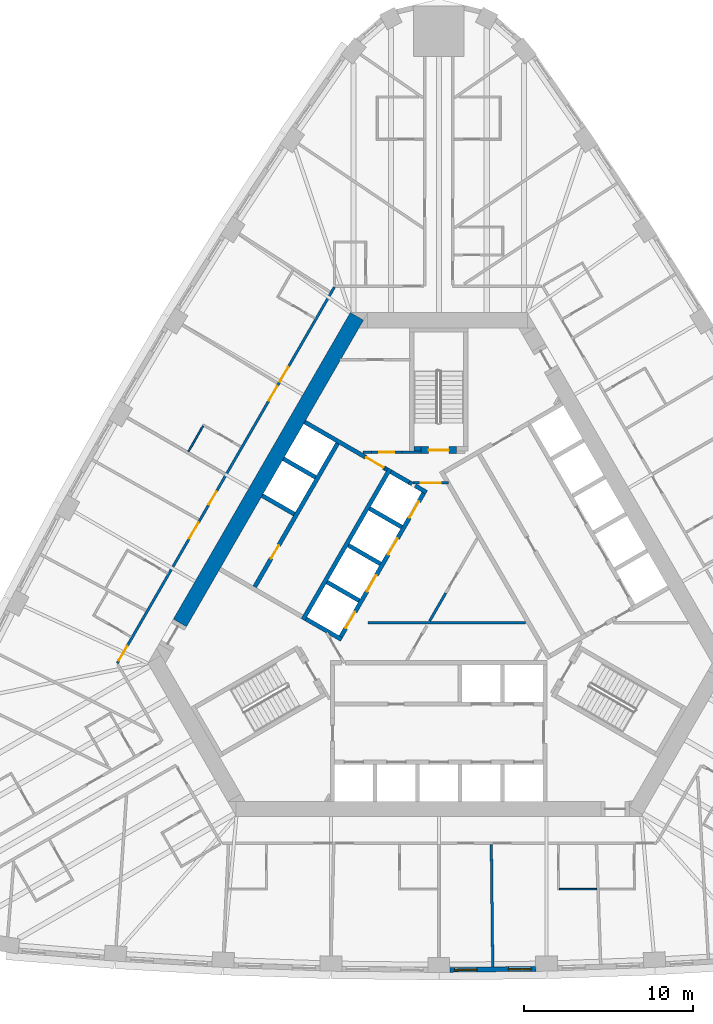
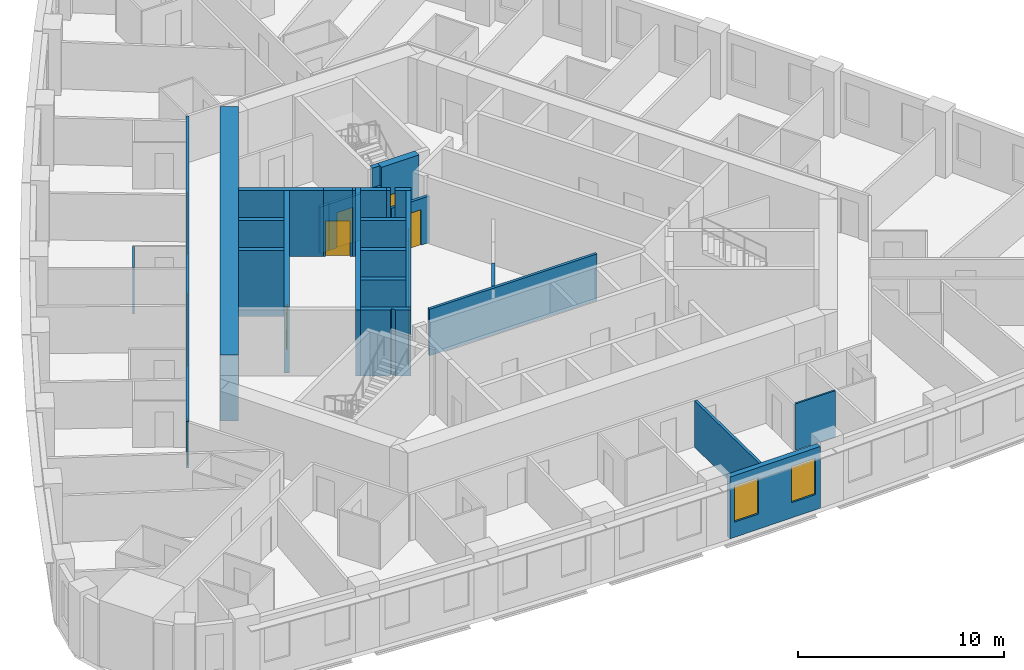
# One storey, part 6 of 13: 29 walls, 14 doors, 2 windows, 16 openings.
"""IFC4 building model written with IfcOpenShell, lengths in metres."""

import ifcopenshell
import ifcopenshell.guid

model = None  # the IFC model being written
_history = None  # IfcOwnerHistory: only IFC2X3 demands one
_inside = {}  # id of a spatial element -> (the spatial element, [elements in it])
_under = {}  # id of a project, library or spatial element -> (it, [spatial elements below it])
_declared = {}  # id of a project -> (the project, [libraries it declares])
_typed = {}  # id of a type object -> (the type object, [elements of that type])
_made_of = {}  # id of a material, layer set ... -> (it, [elements and type objects made of it])


def new_model(schema):
    """Start an empty IFC model of exactly this schema.

    Asked for "IFC4X3", IfcOpenShell would pick the latest addendum, in which some entities
    have other attributes; the version numbers below select the first issue.
    IFC2X3 requires an IfcOwnerHistory on every rooted entity: one is made here for all.
    """
    global model, _history
    if schema == "IFC4X3":
        model = ifcopenshell.file(schema_version=(4, 3, 0, 0))
    else:
        model = ifcopenshell.file(schema=schema)
    _inside.clear()
    _under.clear()
    _declared.clear()
    _typed.clear()
    _made_of.clear()
    _history = None
    if model.schema == "IFC2X3":
        org = make("IfcOrganization", Name="unknown")
        user = make(
            "IfcPersonAndOrganization",
            ThePerson=make("IfcPerson", FamilyName="unknown"),
            TheOrganization=org,
        )
        app = make(
            "IfcApplication",
            ApplicationDeveloper=org,
            Version="unknown",
            ApplicationFullName="unknown",
            ApplicationIdentifier="unknown",
        )
        _history = make(
            "IfcOwnerHistory",
            OwningUser=user,
            OwningApplication=app,
            ChangeAction="ADDED",
            CreationDate=0,
        )
    return model


def make(cls, **values):
    """One entity of the class cls with the attributes given. An attribute that is None is left unset."""
    return model.create_entity(
        cls, **{name: value for name, value in values.items() if value is not None}
    )


def rooted(cls, **values):
    """An entity with a GlobalId (a new one), such as an element, a storey or a relation."""
    return make(cls, GlobalId=ifcopenshell.guid.new(), OwnerHistory=_history, **values)


def si_unit(unit_type, name, prefix=None):
    """IfcSIUnit, for example si_unit("LENGTHUNIT", "METRE", prefix="MILLI")."""
    return make("IfcSIUnit", UnitType=unit_type, Prefix=prefix, Name=name)


def assignment(units):
    """IfcUnitAssignment: the units of a project."""
    return None if units is None else make("IfcUnitAssignment", Units=units)


def point(xyz):
    """IfcCartesianPoint."""
    return None if xyz is None else make("IfcCartesianPoint", Coordinates=xyz)


def direction(xyz):
    """IfcDirection."""
    return None if xyz is None else make("IfcDirection", DirectionRatios=xyz)


def frame(location, z_axis=None, x_axis=None):
    """IfcAxis2Placement3D, a coordinate frame: its origin and axes. An axis left out is left unset."""
    return make(
        "IfcAxis2Placement3D",
        Location=point(location),
        Axis=direction(z_axis),
        RefDirection=direction(x_axis),
    )


def frame_2d(location, x_axis=None):
    """IfcAxis2Placement2D, a coordinate frame in the plane: its origin and x axis."""
    return make(
        "IfcAxis2Placement2D", Location=point(location), RefDirection=direction(x_axis)
    )


def origin():
    """The frame at (0, 0, 0) with its axes left unset."""
    return frame((0.0, 0.0, 0.0))


def place(relative_to, where):
    """IfcLocalPlacement: puts the frame where relative to a parent placement (None: the world)."""
    return make(
        "IfcLocalPlacement", PlacementRelTo=relative_to, RelativePlacement=where
    )


def context(
    kind, dimensions, precision=None, world=None, true_north=None, identifier=None
):
    """IfcGeometricRepresentationContext, for example the 3D "Model" context."""
    return make(
        "IfcGeometricRepresentationContext",
        ContextIdentifier=identifier,
        ContextType=kind,
        CoordinateSpaceDimension=dimensions,
        Precision=precision,
        WorldCoordinateSystem=world,
        TrueNorth=true_north,
    )


def subcontext(parent, identifier, kind, view, scale=None):
    """IfcGeometricRepresentationSubContext, for example "Body" below "Model"."""
    return make(
        "IfcGeometricRepresentationSubContext",
        ContextIdentifier=identifier,
        ContextType=kind,
        ParentContext=parent,
        TargetScale=scale,
        TargetView=view,
    )


def project(units=None, contexts=None):
    """IfcProject with its units and contexts."""
    return rooted(
        "IfcProject",
        Name="project",
        RepresentationContexts=contexts,
        UnitsInContext=assignment(units),
    )


def spatial(cls, under=None, at=None, **own):
    """A site, building, storey or space (cls), placed at a placement, below another one or the project."""
    s = rooted(cls, ObjectPlacement=at, **own)
    if under is not None:
        _under.setdefault(under.id(), (under, []))[1].append(s)
    return s


def polyline(points):
    """IfcPolyline through the points."""
    return make("IfcPolyline", Points=[point(p) for p in points])


def profile(cls, at=None, kind="AREA", **sizes):
    """A parametric profile (cls). Its sizes go by their IFC names, for example OverallWidth=200.0."""
    return make(cls, ProfileType=kind, Position=at, **sizes)


def rectangle(**sizes):
    """IfcRectangleProfileDef."""
    return profile("IfcRectangleProfileDef", **sizes)


def outline(outer, holes=None, kind="AREA"):
    """IfcArbitraryClosedProfileDef: a profile drawn as a closed curve; with holes, ...WithVoids."""
    if holes is None:
        return make("IfcArbitraryClosedProfileDef", ProfileType=kind, OuterCurve=outer)
    return make(
        "IfcArbitraryProfileDefWithVoids",
        ProfileType=kind,
        OuterCurve=outer,
        InnerCurves=holes,
    )


def extrude(swept, where, along, depth):
    """IfcExtrudedAreaSolid: the profile swept, set in the frame where, extruded along a direction by depth."""
    return make(
        "IfcExtrudedAreaSolid",
        SweptArea=swept,
        Position=where,
        ExtrudedDirection=direction(along),
        Depth=depth,
    )


def shape(context_of_items, identifier, shape_type, items):
    """IfcShapeRepresentation: the items that make up one representation, for example the "Body"."""
    return make(
        "IfcShapeRepresentation",
        ContextOfItems=context_of_items,
        RepresentationIdentifier=identifier,
        RepresentationType=shape_type,
        Items=items,
    )


def material(Name=None, Category=None):
    """IfcMaterial."""
    return make("IfcMaterial", Name=Name, Category=Category)


def layer(
    of_material, thickness, ventilated=None, Name=None, Category=None, Priority=None
):
    """IfcMaterialLayer: one layer of a wall or slab, of a material (None: an air gap)."""
    return make(
        "IfcMaterialLayer",
        Material=of_material,
        LayerThickness=thickness,
        IsVentilated=ventilated,
        Name=Name,
        Category=Category,
        Priority=Priority,
    )


def layer_set(layers, Name=None):
    """IfcMaterialLayerSet."""
    return make("IfcMaterialLayerSet", MaterialLayers=layers, LayerSetName=Name)


def made_of(thing, what):
    """Note that an element or type object is made of a material, layer set ...; save() writes the relation."""
    if what is not None:
        _made_of.setdefault(what.id(), (what, []))[1].append(thing)
    return thing


def type_object(cls, material=None, **own):
    """A type object (cls), such as IfcWallType, which elements share."""
    return made_of(rooted(cls, **own), material)


def element(
    cls,
    number,
    at=None,
    inside=None,
    cuts=None,
    type_object=None,
    material=None,
    context=None,
    identifier="Body",
    shape_type=None,
    held_by="IfcProductDefinitionShape",
    body=None,
    shapes=None,
    **own,
):
    """One element of the class cls, such as IfcWall. Its Tag is "e" and its number.

    at: its placement. inside: the storey or other place that contains it. cuts: it is an
    opening in that element (IfcRelVoidsElement). A single representation is given by context,
    identifier, shape_type and body (its items); several are given by shapes. held_by: the class
    of the entity that holds the representations. save() writes the other relations.
    """
    e = rooted(cls, Tag="e%d" % number, ObjectPlacement=at, **own)
    if body is not None:
        shapes = [shape(context, identifier, shape_type, body)]
    if shapes is not None:
        e.Representation = make(held_by, Representations=shapes)
    if inside is not None:
        _inside.setdefault(inside.id(), (inside, []))[1].append(e)
    if cuts is not None:
        rooted(
            "IfcRelVoidsElement", RelatingBuildingElement=cuts, RelatedOpeningElement=e
        )
    if type_object is not None:
        _typed.setdefault(type_object.id(), (type_object, []))[1].append(e)
    return made_of(e, material)


def fill(opening, filler):
    """IfcRelFillsElement: the door or window that sits in an opening."""
    return rooted(
        "IfcRelFillsElement",
        RelatingOpeningElement=opening,
        RelatedBuildingElement=filler,
    )


def aggregate(whole, parts):
    """IfcRelAggregates: a whole, such as a stair, and the parts it consists of."""
    return rooted("IfcRelAggregates", RelatingObject=whole, RelatedObjects=parts)


def save(model, path):
    """Write the relations noted so far, then the file.

    IfcRelAggregates (storeys below a building ...), IfcRelContainedInSpatialStructure (elements
    in a storey), IfcRelDefinesByType, IfcRelAssociatesMaterial and IfcRelDeclares: one each for
    every whole, place, type object, material and project.
    """
    for whole, parts in _under.values():
        aggregate(whole, parts)
    for where, things in _inside.values():
        rooted(
            "IfcRelContainedInSpatialStructure",
            RelatedElements=things,
            RelatingStructure=where,
        )
    for kind, things in _typed.values():
        rooted("IfcRelDefinesByType", RelatedObjects=things, RelatingType=kind)
    for what, things in _made_of.values():
        rooted("IfcRelAssociatesMaterial", RelatedObjects=things, RelatingMaterial=what)
    for by, libraries in _declared.values():
        rooted("IfcRelDeclares", RelatingContext=by, RelatedDefinitions=libraries)
    model.write(path)


model = new_model("IFC4")

# Units and contexts
model_context = context("Model", 3, precision=1e-05, world=origin(), true_north=direction((0.0, 1.0)))
body_context = subcontext(model_context, "Body", "Model", "MODEL_VIEW")
ifc_project = project(units=[si_unit("LENGTHUNIT", "METRE"), si_unit("AREAUNIT", "SQUARE_METRE"), si_unit("VOLUMEUNIT", "CUBIC_METRE"), si_unit("PLANEANGLEUNIT", "RADIAN"), si_unit("MASSUNIT", "GRAM", prefix="KILO")], contexts=[model_context])

# Site, building, storey
site_placement = place(None, origin())
site = spatial("IfcSite", under=ifc_project, at=site_placement, CompositionType="ELEMENT")
building_placement = place(site_placement, origin())
building = spatial("IfcBuilding", under=site, at=building_placement, Name="Mestral Congress Tower", CompositionType="ELEMENT")
storey_placement = place(building_placement, frame((0.0, 0.0, 91.5)))
storey = spatial("IfcBuildingStorey", under=building, at=storey_placement, Name="L21", CompositionType="ELEMENT", Elevation=91.5)

# Walls
ifc_material_1 = material(Name="Fire-rated board partition")
ifc_layer_1 = layer(ifc_material_1, 0.14990234375)
ifc_layer_set_1 = layer_set([ifc_layer_1], Name="Fire-rated board partition")
wall_type_1 = type_object("IfcWallType", Name="Core partition 150", PredefinedType="PARTITIONING", material=ifc_layer_set_1)
wall_1_placement = place(storey_placement, frame((-3.99658203125, 8.625244140625, 0.0), z_axis=(0.0, 0.0, 1.0), x_axis=(-1.0, 0.0, 0.0)))
element("IfcWall", 1, at=wall_1_placement, inside=storey, type_object=wall_type_1, Name="L21 core wall", PredefinedType="PARTITIONING", context=body_context, shape_type="SweptSolid", body=[
    extrude(rectangle(XDim=0.502197265625, YDim=0.14990234375, at=frame_2d((0.2509765625, 0.0))), origin(), (0.0, 0.0, 1.0), 2.75),
])
wall_2_placement = place(storey_placement, frame((-2.1962890625, 8.62548828125, 0.0), z_axis=(0.0, 0.0, 1.0), x_axis=(1.0, 0.0, 0.0)))
element("IfcWall", 2, at=wall_2_placement, inside=storey, type_object=wall_type_1, Name="L21 core wall", PredefinedType="PARTITIONING", context=body_context, shape_type="SweptSolid", body=[
    extrude(rectangle(XDim=1.146240234375, YDim=0.14990234375, at=frame_2d((0.5732421875, 0.0))), origin(), (0.0, 0.0, 1.0), 2.75),
])
wall_3_placement = place(storey_placement, frame((-4.199951171875, -1.5, 0.0), z_axis=(0.0, 0.0, 1.0), x_axis=(1.0, 0.0, 0.0)))
element("IfcWall", 3, at=wall_3_placement, inside=storey, type_object=wall_type_1, Name="L21 core wall", PredefinedType="PARTITIONING", context=body_context, shape_type="SweptSolid", body=[
    extrude(rectangle(XDim=9.359375, YDim=0.14990234375, at=frame_2d((4.6796875, 0.0))), origin(), (0.0, 0.0, 1.0), 2.75),
])
wall_4_placement = place(storey_placement, frame((-0.54443359375, -1.393310546875, 0.0), z_axis=(0.0, 0.0, 1.0), x_axis=(0.499928740635, 0.866066541489, 0.0)))
element("IfcWall", 4, at=wall_4_placement, inside=storey, type_object=wall_type_1, Name="L21 core wall", PredefinedType="PARTITIONING", context=body_context, shape_type="SweptSolid", body=[
    extrude(rectangle(XDim=1.912353515625, YDim=0.14990234375, at=frame_2d((0.9560546875, 0.0))), origin(), (0.0, 0.0, 1.0), 2.75),
])

# Wall, opening, door
wall_5_placement = place(storey_placement, frame((-2.1962890625, 8.625, 0.0), z_axis=(0.0, 0.0, 1.0), x_axis=(-1.0, 0.0, 0.0)))
wall_5 = element("IfcWall", 5, at=wall_5_placement, inside=storey, type_object=wall_type_1, Name="L21 door wall", PredefinedType="PARTITIONING", context=body_context, shape_type="SweptSolid", body=[
    extrude(rectangle(XDim=1.800048828125, YDim=0.14990234375, at=frame_2d((0.89990234375, 0.0))), origin(), (0.0, 0.0, 1.0), 2.75),
])
opening_1_placement = place(wall_5_placement, frame((0.449951171875, 0.0, 0.0)))
opening_1 = element("IfcOpeningElement", 6, at=opening_1_placement, cuts=wall_5, Name="Opening TD2", PredefinedType="OPENING", context=body_context, shape_type="SweptSolid", body=[
    extrude(rectangle(XDim=0.89990234375, YDim=2.10009765625, at=frame_2d((0.449951171875, 1.050048828125))), frame((0.0, 0.0849609375, 0.0), z_axis=(0.0, -1.0, 0.0), x_axis=(1.0, 0.0, 0.0)), (0.0, 0.0, 1.0), 0.169921875),
])
ifc_material_2 = material(Name="Fire-rated steel door set", Category="steel")
door_type_1 = type_object("IfcDoorType", Name="Core door SR 900x2100", OperationType="SINGLE_SWING_LEFT", PredefinedType="DOOR", material=ifc_material_2)
door_1_placement = place(opening_1_placement, origin())
door_1 = element("IfcDoor", 7, at=door_1_placement, inside=storey, type_object=door_type_1, Name="Door TD2", OperationType="SINGLE_SWING_LEFT", OverallHeight=2.10009765625, OverallWidth=0.89990234375, PredefinedType="DOOR", context=body_context, shape_type="SweptSolid", body=[
    extrude(rectangle(XDim=0.89990234375, YDim=2.10009765625, at=frame_2d((0.449951171875, 1.050048828125))), frame((0.0, 0.02490234375, 0.0), z_axis=(0.0, -1.0, 0.0), x_axis=(1.0, 0.0, 0.0)), (0.0, 0.0, 1.0), 0.050048828125),
])
fill(opening_1, door_1)

wall_6_placement = place(storey_placement, frame((-1.534423828125, 6.800048828125, 0.0), z_axis=(0.0, 0.0, 1.0), x_axis=(1.0, 0.0, 0.0)))
wall_6 = element("IfcWall", 8, at=wall_6_placement, inside=storey, type_object=wall_type_1, Name="L21 door wall", PredefinedType="PARTITIONING", context=body_context, shape_type="SweptSolid", body=[
    extrude(rectangle(XDim=2.099853515625, YDim=0.14990234375, at=frame_2d((1.0498046875, 0.0))), origin(), (0.0, 0.0, 1.0), 2.75),
])
opening_2_placement = place(wall_6_placement, frame((0.449951171875, 0.0, 0.0)))
opening_2 = element("IfcOpeningElement", 9, at=opening_2_placement, cuts=wall_6, Name="Opening CD2-FF", PredefinedType="OPENING", context=body_context, shape_type="SweptSolid", body=[
    extrude(rectangle(XDim=1.199951171875, YDim=2.10009765625, at=frame_2d((0.60009765625, 1.050048828125))), frame((0.0, 0.0849609375, 0.0), z_axis=(0.0, -1.0, 0.0), x_axis=(1.0, 0.0, 0.0)), (0.0, 0.0, 1.0), 0.169921875),
])
door_type_2 = type_object("IfcDoorType", Name="Core door CD 1200x2100", OperationType="SINGLE_SWING_LEFT", PredefinedType="DOOR", material=ifc_material_2)
door_2_placement = place(opening_2_placement, origin())
door_2 = element("IfcDoor", 10, at=door_2_placement, inside=storey, type_object=door_type_2, Name="Door CD2-FF", OperationType="SINGLE_SWING_LEFT", OverallHeight=2.10009765625, OverallWidth=1.199951171875, PredefinedType="DOOR", context=body_context, shape_type="SweptSolid", body=[
    extrude(rectangle(XDim=1.199951171875, YDim=2.10009765625, at=frame_2d((0.60009765625, 1.050048828125))), frame((0.0, 0.02490234375, 0.0), z_axis=(0.0, -1.0, 0.0), x_axis=(1.0, 0.0, 0.0)), (0.0, 0.0, 1.0), 0.050048828125),
])
fill(opening_2, door_2)

# Wall
ifc_material_3 = material(Name="Concrete C60/75", Category="concrete")
ifc_layer_2 = layer(ifc_material_3, 0.89990234375)
ifc_layer_set_2 = layer_set([ifc_layer_2], Name="Concrete C60/75")
wall_type_2 = type_object("IfcWallType", Name="Core wall RC 900", PredefinedType="SOLIDWALL", material=ifc_layer_set_2)
wall_7_placement = place(storey_placement, frame((-15.359619140625, -1.50341796875, 0.0), z_axis=(0.0, 0.0, 1.0), x_axis=(0.50000389221, 0.866023156604, 0.0)))
element("IfcWall", 11, at=wall_7_placement, inside=storey, type_object=wall_type_2, Name="L21 core wall", PredefinedType="SOLIDWALL", context=body_context, shape_type="SweptSolid", body=[
    extrude(rectangle(XDim=21.000244140625, YDim=0.89990234375, at=frame_2d((10.5, 0.0))), origin(), (0.0, 0.0, 1.0), 3.89990234375),
])

# Wall, openings, windows
ifc_material_4 = material(Name="Precast concrete C40/50 with limestone facing", Category="masonry")
ifc_layer_3 = layer(ifc_material_4, 0.2900390625)
ifc_layer_set_3 = layer_set([ifc_layer_3], Name="Precast concrete C40/50 with limestone facing")
wall_type_3 = type_object("IfcWallType", Name="Facade stone wall 290", PredefinedType="SOLIDWALL", material=ifc_layer_set_3)
wall_8_placement = place(storey_placement, frame((0.6533203125, -22.091064453125, 0.0), z_axis=(0.0, 0.0, 1.0), x_axis=(0.999931786565, 0.011679992145, 0.0)))
wall_8 = element("IfcWall", 12, at=wall_8_placement, inside=storey, type_object=wall_type_3, Name="Facade wall F0-04", PredefinedType="SOLIDWALL", context=body_context, shape_type="SweptSolid", body=[
    extrude(rectangle(XDim=5.10009765625, YDim=0.2900390625, at=frame_2d((2.550048828125, 0.0))), origin(), (0.0, 0.0, 1.0), 3.64990234375),
])
opening_3_placement = place(wall_8_placement, frame((0.272705078125, 0.0, 0.89990234375)))
opening_3 = element("IfcOpeningElement", 13, at=opening_3_placement, cuts=wall_8, Name="Opening W2", PredefinedType="OPENING", context=body_context, shape_type="SweptSolid", body=[
    extrude(rectangle(XDim=1.35009765625, YDim=2.14990234375, at=frame_2d((0.675048828125, 1.074951171875))), frame((0.0, 0.155029296875, 0.0), z_axis=(0.0, -1.0, 0.0), x_axis=(1.0, 0.0, 0.0)), (0.0, 0.0, 1.0), 0.31005859375),
])
opening_4_placement = place(wall_8_placement, frame((3.477783203125, 0.0, 0.89990234375)))
opening_4 = element("IfcOpeningElement", 14, at=opening_4_placement, cuts=wall_8, Name="Opening W2", PredefinedType="OPENING", context=body_context, shape_type="SweptSolid", body=[
    extrude(rectangle(XDim=1.35009765625, YDim=2.14990234375, at=frame_2d((0.675048828125, 1.074951171875))), frame((0.0, 0.155029296875, 0.0), z_axis=(0.0, -1.0, 0.0), x_axis=(1.0, 0.0, 0.0)), (0.0, 0.0, 1.0), 0.31005859375),
])
ifc_material_5 = material(Name="Clear low-emissivity double glazing", Category="glass")
window_type = type_object("IfcWindowType", Name="Facade punched window 1350 x 2150 sill 900", PartitioningType="DOUBLE_PANEL_VERTICAL", PredefinedType="WINDOW", material=ifc_material_5)
window_1_placement = place(opening_3_placement, origin())
window_1 = element("IfcWindow", 15, at=window_1_placement, inside=storey, type_object=window_type, Name="Window F0-04a", OverallHeight=2.14990234375, OverallWidth=1.35009765625, PartitioningType="DOUBLE_PANEL_VERTICAL", PredefinedType="WINDOW", context=body_context, shape_type="SweptSolid", body=[
    extrude(rectangle(XDim=1.35009765625, YDim=2.14990234375, at=frame_2d((0.675048828125, 1.074951171875))), frame((0.0, 0.01513671875, 0.0), z_axis=(0.0, -1.0, 0.0), x_axis=(1.0, 0.0, 0.0)), (0.0, 0.0, 1.0), 0.06005859375),
])
fill(opening_3, window_1)
window_2_placement = place(opening_4_placement, origin())
window_2 = element("IfcWindow", 16, at=window_2_placement, inside=storey, type_object=window_type, Name="Window F0-04b", OverallHeight=2.14990234375, OverallWidth=1.35009765625, PartitioningType="DOUBLE_PANEL_VERTICAL", PredefinedType="WINDOW", context=body_context, shape_type="SweptSolid", body=[
    extrude(rectangle(XDim=1.35009765625, YDim=2.14990234375, at=frame_2d((0.675048828125, 1.074951171875))), frame((0.0, 0.01513671875, 0.0), z_axis=(0.0, -1.0, 0.0), x_axis=(1.0, 0.0, 0.0)), (0.0, 0.0, 1.0), 0.06005859375),
])
fill(opening_4, window_2)

# Walls
ifc_material_6 = material(Name="Gypsum board partition on metal studs with mineral wool", Category="composite")
ifc_layer_4 = layer(ifc_material_6, 0.10009765625)
ifc_layer_set_4 = layer_set([ifc_layer_4], Name="Gypsum board partition on metal studs with mineral wool")
wall_type_4 = type_object("IfcWallType", Name="Hotel partition wall 100", PredefinedType="PARTITIONING", material=ifc_layer_set_4)
wall_9_placement = place(storey_placement, frame((7.150390625, -17.300048828125, 0.0), z_axis=(0.0, 0.0, 1.0), x_axis=(1.0, 0.0, 0.0)))
element("IfcWall", 17, at=wall_9_placement, inside=storey, type_object=wall_type_4, Name="L21-h-pod06b", PredefinedType="PARTITIONING", context=body_context, shape_type="SweptSolid", body=[
    extrude(rectangle(XDim=2.219970703125, YDim=0.10009765625, at=frame_2d((1.10986328125, 0.0))), origin(), (0.0, 0.0, 1.0), 2.75),
])
wall_10_placement = place(storey_placement, frame((-13.982666015625, 10.18115234375, 0.0), z_axis=(0.0, 0.0, 1.0), x_axis=(-0.499980071345, -0.866036909293, 0.0)))
element("IfcWall", 18, at=wall_10_placement, inside=storey, type_object=wall_type_4, Name="L21-h-pod22b", PredefinedType="PARTITIONING", context=body_context, shape_type="SweptSolid", body=[
    extrude(rectangle(XDim=1.75, YDim=0.10009765625, at=frame_2d((0.875, 0.0))), origin(), (0.0, 0.0, 1.0), 2.75),
])

# Wall, openings, doors
ifc_layer_5 = layer(ifc_material_6, 0.14990234375)
ifc_layer_set_5 = layer_set([ifc_layer_5], Name="Gypsum board partition on metal studs with mineral wool")
wall_type_5 = type_object("IfcWallType", Name="Hotel partition wall 150", PredefinedType="PARTITIONING", material=ifc_layer_set_5)
wall_11_placement = place(storey_placement, frame((-19.081298828125, -3.89990234375, 0.0), z_axis=(0.0, 0.0, 1.0), x_axis=(0.499998313975, 0.866026377209, 0.0)))
wall_11 = element("IfcWall", 19, at=wall_11_placement, inside=storey, type_object=wall_type_5, Name="L21-h-cw08", PredefinedType="PARTITIONING", context=body_context, shape_type="SweptSolid", body=[
    extrude(rectangle(XDim=25.76611328125, YDim=0.14990234375, at=frame_2d((12.883056640625, 0.0))), origin(), (0.0, 0.0, 1.0), 2.75),
])
opening_5_placement = place(wall_11_placement, frame((19.30615234375, 0.0, 0.0)))
opening_5 = element("IfcOpeningElement", 20, at=opening_5_placement, cuts=wall_11, Name="Opening H06-039", PredefinedType="OPENING", context=body_context, shape_type="SweptSolid", body=[
    extrude(rectangle(XDim=1.0, YDim=2.10009765625, at=frame_2d((0.5, 1.050048828125))), frame((0.0, 0.0849609375, 0.0), z_axis=(0.0, -1.0, 0.0), x_axis=(1.0, 0.0, 0.0)), (0.0, 0.0, 1.0), 0.169921875),
])
opening_6_placement = place(wall_11_placement, frame((17.99951171875, 0.0, 0.0)))
opening_6 = element("IfcOpeningElement", 21, at=opening_6_placement, cuts=wall_11, Name="Opening H06-041", PredefinedType="OPENING", context=body_context, shape_type="SweptSolid", body=[
    extrude(rectangle(XDim=1.0, YDim=2.10009765625, at=frame_2d((0.5, 1.050048828125))), frame((0.0, 0.0849609375, 0.0), z_axis=(0.0, -1.0, 0.0), x_axis=(1.0, 0.0, 0.0)), (0.0, 0.0, 1.0), 0.169921875),
])
opening_7_placement = place(wall_11_placement, frame((10.874267578125, 0.0, 0.0)))
opening_7 = element("IfcOpeningElement", 22, at=opening_7_placement, cuts=wall_11, Name="Opening H06-043", PredefinedType="OPENING", context=body_context, shape_type="SweptSolid", body=[
    extrude(rectangle(XDim=0.89990234375, YDim=2.10009765625, at=frame_2d((0.449951171875, 1.050048828125))), frame((0.0, 0.0849609375, 0.0), z_axis=(0.0, -1.0, 0.0), x_axis=(1.0, 0.0, 0.0)), (0.0, 0.0, 1.0), 0.169921875),
])
opening_8_placement = place(wall_11_placement, frame((8.547607421875, 0.0, 0.0)))
opening_8 = element("IfcOpeningElement", 23, at=opening_8_placement, cuts=wall_11, Name="Opening H06-044", PredefinedType="OPENING", context=body_context, shape_type="SweptSolid", body=[
    extrude(rectangle(XDim=1.10009765625, YDim=2.10009765625, at=frame_2d((0.550048828125, 1.050048828125))), frame((0.0, 0.0849609375, 0.0), z_axis=(0.0, -1.0, 0.0), x_axis=(1.0, 0.0, 0.0)), (0.0, 0.0, 1.0), 0.169921875),
])
opening_9_placement = place(wall_11_placement, frame((0.179931640625, 0.0, 0.0)))
opening_9 = element("IfcOpeningElement", 24, at=opening_9_placement, cuts=wall_11, Name="Opening H06-046", PredefinedType="OPENING", context=body_context, shape_type="SweptSolid", body=[
    extrude(rectangle(XDim=1.0, YDim=2.10009765625, at=frame_2d((0.5, 1.050048828125))), frame((0.0, 0.0849609375, 0.0), z_axis=(0.0, -1.0, 0.0), x_axis=(1.0, 0.0, 0.0)), (0.0, 0.0, 1.0), 0.169921875),
])
ifc_material_7 = material(Name="Timber veneer door leaf in metal frame", Category="wood")
door_type_3 = type_object("IfcDoorType", Name="Accessible room entrance door 1100", OperationType="SINGLE_SWING_LEFT", PredefinedType="DOOR", material=ifc_material_7)
door_3_placement = place(opening_8_placement, origin())
door_3 = element("IfcDoor", 25, at=door_3_placement, inside=storey, type_object=door_type_3, Name="L21-h-d044", OperationType="SINGLE_SWING_RIGHT", OverallHeight=2.10009765625, OverallWidth=1.10009765625, PredefinedType="DOOR", context=body_context, shape_type="SweptSolid", body=[
    extrude(rectangle(XDim=1.10009765625, YDim=2.10009765625, at=frame_2d((0.550048828125, 1.050048828125))), frame((0.0, 0.02490234375, 0.0), z_axis=(0.0, -1.0, 0.0), x_axis=(1.0, 0.0, 0.0)), (0.0, 0.0, 1.0), 0.050048828125),
])
fill(opening_8, door_3)
door_type_4 = type_object("IfcDoorType", Name="Guest room entrance door 1000", OperationType="SINGLE_SWING_LEFT", PredefinedType="DOOR", material=ifc_material_7)
door_4_placement = place(opening_5_placement, origin())
door_4 = element("IfcDoor", 26, at=door_4_placement, inside=storey, type_object=door_type_4, Name="L21-h-d039", OperationType="SINGLE_SWING_LEFT", OverallHeight=2.10009765625, OverallWidth=1.0, PredefinedType="DOOR", context=body_context, shape_type="SweptSolid", body=[
    extrude(rectangle(XDim=1.0, YDim=2.10009765625, at=frame_2d((0.5, 1.050048828125))), frame((0.0, 0.02490234375, 0.0), z_axis=(0.0, -1.0, 0.0), x_axis=(1.0, 0.0, 0.0)), (0.0, 0.0, 1.0), 0.050048828125),
])
fill(opening_5, door_4)
door_5_placement = place(opening_6_placement, origin())
door_5 = element("IfcDoor", 27, at=door_5_placement, inside=storey, type_object=door_type_4, Name="L21-h-d041", OperationType="SINGLE_SWING_RIGHT", OverallHeight=2.10009765625, OverallWidth=1.0, PredefinedType="DOOR", context=body_context, shape_type="SweptSolid", body=[
    extrude(rectangle(XDim=1.0, YDim=2.10009765625, at=frame_2d((0.5, 1.050048828125))), frame((0.0, 0.02490234375, 0.0), z_axis=(0.0, -1.0, 0.0), x_axis=(1.0, 0.0, 0.0)), (0.0, 0.0, 1.0), 0.050048828125),
])
fill(opening_6, door_5)
door_6_placement = place(opening_9_placement, origin())
door_6 = element("IfcDoor", 28, at=door_6_placement, inside=storey, type_object=door_type_4, Name="L21-h-d046", OperationType="SINGLE_SWING_LEFT", OverallHeight=2.10009765625, OverallWidth=1.0, PredefinedType="DOOR", context=body_context, shape_type="SweptSolid", body=[
    extrude(rectangle(XDim=1.0, YDim=2.10009765625, at=frame_2d((0.5, 1.050048828125))), frame((0.0, 0.02490234375, 0.0), z_axis=(0.0, -1.0, 0.0), x_axis=(1.0, 0.0, 0.0)), (0.0, 0.0, 1.0), 0.050048828125),
])
fill(opening_9, door_6)
door_type_5 = type_object("IfcDoorType", Name="Service room door 900", OperationType="SINGLE_SWING_LEFT", PredefinedType="DOOR", material=ifc_material_7)
door_7_placement = place(opening_7_placement, origin())
door_7 = element("IfcDoor", 29, at=door_7_placement, inside=storey, type_object=door_type_5, Name="L21-h-d043", OperationType="SINGLE_SWING_LEFT", OverallHeight=2.10009765625, OverallWidth=0.89990234375, PredefinedType="DOOR", context=body_context, shape_type="SweptSolid", body=[
    extrude(rectangle(XDim=0.89990234375, YDim=2.10009765625, at=frame_2d((0.449951171875, 1.050048828125))), frame((0.0, 0.02490234375, 0.0), z_axis=(0.0, -1.0, 0.0), x_axis=(1.0, 0.0, 0.0)), (0.0, 0.0, 1.0), 0.050048828125),
])
fill(opening_7, door_7)

# Walls
wall_12_placement = place(storey_placement, frame((3.20166015625, -21.916259765625, 0.0), z_axis=(0.0, 0.0, 1.0), x_axis=(-0.011707696285, 0.999931462575, 0.0)))
element("IfcWall", 30, at=wall_12_placement, inside=storey, type_object=wall_type_5, Name="L21-h-pw18", PredefinedType="PARTITIONING", context=body_context, shape_type="SweptSolid", body=[
    extrude(rectangle(XDim=7.2568359375, YDim=0.14990234375, at=frame_2d((3.62841796875, 0.0))), origin(), (0.0, 0.0, 1.0), 2.75),
])
ifc_layer_6 = layer(ifc_material_3, 0.25)
ifc_layer_set_6 = layer_set([ifc_layer_6], Name="Concrete C60/75")
wall_type_6 = type_object("IfcWallType", Name="Shaft wall RC 250", PredefinedType="SOLIDWALL", material=ifc_layer_set_6)
wall_13_placement = place(storey_placement, frame((-8.06005859375, -1.310546875, 0.0), z_axis=(0.0, 0.0, 1.0), x_axis=(0.50000273126, 0.866023826885, 0.0)))
element("IfcWall", 31, at=wall_13_placement, inside=storey, type_object=wall_type_6, Name="L21 core wall", PredefinedType="SOLIDWALL", context=body_context, shape_type="SweptSolid", body=[
    extrude(rectangle(XDim=10.330078125, YDim=0.25, at=frame_2d((5.1650390625, 0.0))), origin(), (0.0, 0.0, 1.0), 3.89990234375),
])
wall_14_placement = place(storey_placement, frame((-1.75830078125, 6.834716796875, 0.0), z_axis=(0.0, 0.0, 1.0), x_axis=(0.865982457891, -0.500074377092, 0.0)))
element("IfcWall", 32, at=wall_14_placement, inside=storey, type_object=wall_type_6, Name="L21 core wall", PredefinedType="SOLIDWALL", context=body_context, shape_type="SweptSolid", body=[
    extrude(rectangle(XDim=0.2001953125, YDim=0.25, at=frame_2d((0.10009765625, 0.0))), origin(), (0.0, 0.0, 1.0), 3.89990234375),
])
wall_15_placement = place(storey_placement, frame((-1.760009765625, 6.835693359375, 0.0), z_axis=(0.0, 0.0, 1.0), x_axis=(-0.865952863304, 0.500125622755, 0.0)))
element("IfcWall", 33, at=wall_15_placement, inside=storey, type_object=wall_type_6, Name="L21 core wall", PredefinedType="SOLIDWALL", context=body_context, shape_type="SweptSolid", body=[
    extrude(rectangle(XDim=1.258056640625, YDim=0.25, at=frame_2d((0.62890625, 0.0))), origin(), (0.0, 0.0, 1.0), 3.89990234375),
])
wall_16_placement = place(storey_placement, frame((-0.7275390625, 6.23974609375, 0.0), z_axis=(0.0, 0.0, 1.0), x_axis=(-0.865955664968, 0.500120771724, 0.0)))
element("IfcWall", 34, at=wall_16_placement, inside=storey, type_object=wall_type_6, Name="L21 core wall", PredefinedType="SOLIDWALL", context=body_context, shape_type="SweptSolid", body=[
    extrude(rectangle(XDim=0.778076171875, YDim=0.25, at=frame_2d((0.38916015625, 0.0))), origin(), (0.0, 0.0, 1.0), 3.89990234375),
])
for number, where, z_axis, x_axis, name in (
    (35, (-2.2041015625, 4.182373046875, 0.0), (0.0, 0.0, 1.0), (-0.866008176907, 0.50002983664, 0.0), "L21 core wall"),
    (36, (-5.369384765625, 3.10009765625, 0.0), (0.0, 0.0, 1.0), (0.866008176907, -0.50002983664, 0.0), "L21 core wall"),
    (37, (-4.72412109375, -0.182373046875, 0.0), (0.0, 0.0, 1.0), (-0.866008176907, 0.50002983664, 0.0), "L21 core wall"),
):
    element("IfcWall", number, at=place(storey_placement, frame(where, z_axis=z_axis, x_axis=x_axis)), inside=storey, type_object=wall_type_6, Name=name, PredefinedType="SOLIDWALL", context=body_context, shape_type="SweptSolid", body=[
        extrude(rectangle(XDim=2.199951171875, YDim=0.25, at=frame_2d((1.10009765625, 0.0))), origin(), (0.0, 0.0, 1.0), 3.89990234375),
    ])
placement = place(storey_placement, origin())
element("IfcWall", 38, at=placement, inside=storey, type_object=wall_type_6, Name="L21 core wall", PredefinedType="SOLIDWALL", context=body_context, shape_type="SweptSolid", body=[
    extrude(outline(polyline([(-5.921630859375, -2.256591796875), (-5.921630859375, -2.256591796875), (-5.705078125, -2.381591796875), (-5.830078125, -2.597900390625), (-6.48291015625, -2.22119140625), (-6.59130859375, -2.033447265625), (-6.59130859375, -2.033447265625), (-6.69970703125, -2.095947265625), (-7.951904296875, -1.373046875), (-7.826904296875, -1.156494140625), (-5.921630859375, -2.256591796875)])), origin(), (0.0, 0.0, 1.0), 3.89990234375),
])
element("IfcWall", 39, at=placement, inside=storey, type_object=wall_type_6, Name="L21 core wall", PredefinedType="SOLIDWALL", context=body_context, shape_type="SweptSolid", body=[
    extrude(outline(polyline([(-3.12841796875, 7.4814453125), (-3.2587890625, 7.556640625), (-3.1337890625, 7.773193359375), (-3.00341796875, 7.697998046875), (-3.12841796875, 7.4814453125)])), origin(), (0.0, 0.0, 1.0), 3.89990234375),
])
for number, where, z_axis, x_axis, name in (
    (40, (-8.57373046875, 4.949951171875, 0.0), (0.0, 0.0, 1.0), (-0.866008176907, 0.50002983664, 0.0), "L21 core wall"),
    (41, (-7.313720703125, 7.13232421875, 0.0), (0.0, 0.0, 1.0), (-0.866008176907, 0.50002983664, 0.0), "L21 core wall"),
):
    element("IfcWall", number, at=place(storey_placement, frame(where, z_axis=z_axis, x_axis=x_axis)), inside=storey, type_object=wall_type_6, Name=name, PredefinedType="SOLIDWALL", context=body_context, shape_type="SweptSolid", body=[
        extrude(rectangle(XDim=2.199951171875, YDim=0.25, at=frame_2d((1.10009765625, 0.0))), origin(), (0.0, 0.0, 1.0), 3.89990234375),
    ])
wall_19_placement = place(storey_placement, frame((-7.958984375, 10.414794921875, 0.0), z_axis=(0.0, 0.0, 1.0), x_axis=(0.866020958405, -0.500007699544, 0.0)))
element("IfcWall", 42, at=wall_19_placement, inside=storey, type_object=wall_type_6, Name="L21 core wall", PredefinedType="SOLIDWALL", context=body_context, shape_type="SweptSolid", body=[
    extrude(rectangle(XDim=4.099609375, YDim=0.25, at=frame_2d((2.0498046875, 0.0))), origin(), (0.0, 0.0, 1.0), 3.89990234375),
])

# Wall, opening, door
wall_20_placement = place(storey_placement, frame((-6.0078125, 9.14404296875, 0.0), z_axis=(0.0, 0.0, 1.0), x_axis=(-0.500006956611, -0.866021387346, 0.0)))
wall_20 = element("IfcWall", 43, at=wall_20_placement, inside=storey, type_object=wall_type_6, Name="L21 door wall", PredefinedType="SOLIDWALL", context=body_context, shape_type="SweptSolid", body=[
    extrude(rectangle(XDim=9.829833984375, YDim=0.25, at=frame_2d((4.9150390625, 0.0))), origin(), (0.0, 0.0, 1.0), 3.89990234375),
])
opening_10_placement = place(wall_20_placement, frame((6.985107421875, 0.0, 0.0)))
opening_10 = element("IfcOpeningElement", 44, at=opening_10_placement, cuts=wall_20, Name="Opening SR-NWA2", PredefinedType="OPENING", context=body_context, shape_type="SweptSolid", body=[
    extrude(rectangle(XDim=0.89990234375, YDim=2.10009765625, at=frame_2d((0.449951171875, 1.050048828125))), frame((0.0, 0.135009765625, 0.0), z_axis=(0.0, -1.0, 0.0), x_axis=(1.0, 0.0, 0.0)), (0.0, 0.0, 1.0), 0.27001953125),
])
door_8_placement = place(opening_10_placement, origin())
door_8 = element("IfcDoor", 45, at=door_8_placement, inside=storey, type_object=door_type_1, Name="Door SR-NWA2", OperationType="SINGLE_SWING_LEFT", OverallHeight=2.10009765625, OverallWidth=0.89990234375, PredefinedType="DOOR", context=body_context, shape_type="SweptSolid", body=[
    extrude(rectangle(XDim=0.89990234375, YDim=2.10009765625, at=frame_2d((0.449951171875, 1.050048828125))), frame((0.0, 0.02490234375, 0.0), z_axis=(0.0, -1.0, 0.0), x_axis=(1.0, 0.0, 0.0)), (0.0, 0.0, 1.0), 0.050048828125),
])
fill(opening_10, door_8)

# Wall, openings, doors
wall_21_placement = place(storey_placement, frame((-0.898193359375, 6.194091796875, 0.0), z_axis=(0.0, 0.0, 1.0), x_axis=(-0.499996202215, -0.866027596426, 0.0)))
wall_21 = element("IfcWall", 46, at=wall_21_placement, inside=storey, type_object=wall_type_6, Name="L21 door wall", PredefinedType="SOLIDWALL", context=body_context, shape_type="SweptSolid", body=[
    extrude(rectangle(XDim=9.830078125, YDim=0.25, at=frame_2d((4.9150390625, 0.0))), origin(), (0.0, 0.0, 1.0), 3.89990234375),
])
opening_11_placement = place(wall_21_placement, frame((0.5849609375, 0.0, 0.0)))
opening_11 = element("IfcOpeningElement", 47, at=opening_11_placement, cuts=wall_21, Name="Opening LD-NWB1", PredefinedType="OPENING", context=body_context, shape_type="SweptSolid", body=[
    extrude(rectangle(XDim=1.10009765625, YDim=2.10009765625, at=frame_2d((0.550048828125, 1.050048828125))), frame((0.0, 0.135009765625, 0.0), z_axis=(0.0, -1.0, 0.0), x_axis=(1.0, 0.0, 0.0)), (0.0, 0.0, 1.0), 0.27001953125),
])
opening_12_placement = place(wall_21_placement, frame((3.10498046875, 0.0, 0.0)))
opening_12 = element("IfcOpeningElement", 48, at=opening_12_placement, cuts=wall_21, Name="Opening LD-NWB2", PredefinedType="OPENING", context=body_context, shape_type="SweptSolid", body=[
    extrude(rectangle(XDim=1.10009765625, YDim=2.10009765625, at=frame_2d((0.550048828125, 1.050048828125))), frame((0.0, 0.135009765625, 0.0), z_axis=(0.0, -1.0, 0.0), x_axis=(1.0, 0.0, 0.0)), (0.0, 0.0, 1.0), 0.27001953125),
])
opening_13_placement = place(wall_21_placement, frame((5.625, 0.0, 0.0)))
opening_13 = element("IfcOpeningElement", 49, at=opening_13_placement, cuts=wall_21, Name="Opening LD-NWB3", PredefinedType="OPENING", context=body_context, shape_type="SweptSolid", body=[
    extrude(rectangle(XDim=1.10009765625, YDim=2.10009765625, at=frame_2d((0.550048828125, 1.050048828125))), frame((0.0, 0.135009765625, 0.0), z_axis=(0.0, -1.0, 0.0), x_axis=(1.0, 0.0, 0.0)), (0.0, 0.0, 1.0), 0.27001953125),
])
opening_14_placement = place(wall_21_placement, frame((8.14501953125, 0.0, 0.0)))
opening_14 = element("IfcOpeningElement", 50, at=opening_14_placement, cuts=wall_21, Name="Opening LD-NWB4", PredefinedType="OPENING", context=body_context, shape_type="SweptSolid", body=[
    extrude(rectangle(XDim=1.10009765625, YDim=2.10009765625, at=frame_2d((0.550048828125, 1.050048828125))), frame((0.0, 0.135009765625, 0.0), z_axis=(0.0, -1.0, 0.0), x_axis=(1.0, 0.0, 0.0)), (0.0, 0.0, 1.0), 0.27001953125),
])
door_type_6 = type_object("IfcDoorType", Name="Core door LD 1100x2100", OperationType="DOUBLE_DOOR_SLIDING", PredefinedType="DOOR", material=ifc_material_2)
door_9_placement = place(opening_11_placement, origin())
door_9 = element("IfcDoor", 51, at=door_9_placement, inside=storey, type_object=door_type_6, Name="Door LD-NWB1", OperationType="DOUBLE_DOOR_SLIDING", OverallHeight=2.10009765625, OverallWidth=1.10009765625, PredefinedType="DOOR", context=body_context, shape_type="SweptSolid", body=[
    extrude(rectangle(XDim=1.10009765625, YDim=2.10009765625, at=frame_2d((0.550048828125, 1.050048828125))), frame((0.0, 0.02490234375, 0.0), z_axis=(0.0, -1.0, 0.0), x_axis=(1.0, 0.0, 0.0)), (0.0, 0.0, 1.0), 0.050048828125),
])
fill(opening_11, door_9)
door_10_placement = place(opening_12_placement, origin())
door_10 = element("IfcDoor", 52, at=door_10_placement, inside=storey, type_object=door_type_6, Name="Door LD-NWB2", OperationType="DOUBLE_DOOR_SLIDING", OverallHeight=2.10009765625, OverallWidth=1.10009765625, PredefinedType="DOOR", context=body_context, shape_type="SweptSolid", body=[
    extrude(rectangle(XDim=1.10009765625, YDim=2.10009765625, at=frame_2d((0.550048828125, 1.050048828125))), frame((0.0, 0.02490234375, 0.0), z_axis=(0.0, -1.0, 0.0), x_axis=(1.0, 0.0, 0.0)), (0.0, 0.0, 1.0), 0.050048828125),
])
fill(opening_12, door_10)
door_11_placement = place(opening_13_placement, origin())
door_11 = element("IfcDoor", 53, at=door_11_placement, inside=storey, type_object=door_type_6, Name="Door LD-NWB3", OperationType="DOUBLE_DOOR_SLIDING", OverallHeight=2.10009765625, OverallWidth=1.10009765625, PredefinedType="DOOR", context=body_context, shape_type="SweptSolid", body=[
    extrude(rectangle(XDim=1.10009765625, YDim=2.10009765625, at=frame_2d((0.550048828125, 1.050048828125))), frame((0.0, 0.02490234375, 0.0), z_axis=(0.0, -1.0, 0.0), x_axis=(1.0, 0.0, 0.0)), (0.0, 0.0, 1.0), 0.050048828125),
])
fill(opening_13, door_11)
door_12_placement = place(opening_14_placement, origin())
door_12 = element("IfcDoor", 54, at=door_12_placement, inside=storey, type_object=door_type_6, Name="Door LD-NWB4", OperationType="DOUBLE_DOOR_SLIDING", OverallHeight=2.10009765625, OverallWidth=1.10009765625, PredefinedType="DOOR", context=body_context, shape_type="SweptSolid", body=[
    extrude(rectangle(XDim=1.10009765625, YDim=2.10009765625, at=frame_2d((0.550048828125, 1.050048828125))), frame((0.0, 0.02490234375, 0.0), z_axis=(0.0, -1.0, 0.0), x_axis=(1.0, 0.0, 0.0)), (0.0, 0.0, 1.0), 0.050048828125),
])
fill(opening_14, door_12)

# Wall, opening, door
wall_22_placement = place(storey_placement, frame((-4.40869140625, 8.364990234375, 0.0), z_axis=(0.0, 0.0, 1.0), x_axis=(0.866034573852, -0.49998411664, 0.0)))
wall_22 = element("IfcWall", 55, at=wall_22_placement, inside=storey, type_object=wall_type_6, Name="L21 door wall", PredefinedType="SOLIDWALL", context=body_context, shape_type="SweptSolid", body=[
    extrude(rectangle(XDim=1.39990234375, YDim=0.25, at=frame_2d((0.699951171875, 0.0))), origin(), (0.0, 0.0, 1.0), 3.89990234375),
])
opening_15_placement = place(wall_22_placement, frame((0.10009765625, 0.0, 0.0)))
opening_15 = element("IfcOpeningElement", 56, at=opening_15_placement, cuts=wall_22, Name="Opening LB2-WL2", PredefinedType="OPENING", context=body_context, shape_type="SweptSolid", body=[
    extrude(rectangle(XDim=1.199951171875, YDim=2.10009765625, at=frame_2d((0.60009765625, 1.050048828125))), frame((0.0, 0.135009765625, 0.0), z_axis=(0.0, -1.0, 0.0), x_axis=(1.0, 0.0, 0.0)), (0.0, 0.0, 1.0), 0.27001953125),
])
door_type_7 = type_object("IfcDoorType", Name="Core door LB 1200x2100", OperationType="SINGLE_SWING_LEFT", PredefinedType="DOOR", material=ifc_material_2)
door_13_placement = place(opening_15_placement, origin())
door_13 = element("IfcDoor", 57, at=door_13_placement, inside=storey, type_object=door_type_7, Name="Door LB2-WL2", OperationType="SINGLE_SWING_LEFT", OverallHeight=2.10009765625, OverallWidth=1.199951171875, PredefinedType="DOOR", context=body_context, shape_type="SweptSolid", body=[
    extrude(rectangle(XDim=1.199951171875, YDim=2.10009765625, at=frame_2d((0.60009765625, 1.050048828125))), frame((0.0, 0.02490234375, 0.0), z_axis=(0.0, -1.0, 0.0), x_axis=(1.0, 0.0, 0.0)), (0.0, 0.0, 1.0), 0.050048828125),
])
fill(opening_15, door_13)

# Wall
ifc_layer_7 = layer(ifc_material_3, 0.25)
ifc_layer_set_7 = layer_set([ifc_layer_7], Name="Concrete C60/75")
wall_type_7 = type_object("IfcWallType", Name="Stair wall RC 250", PredefinedType="SOLIDWALL", material=ifc_layer_set_7)
wall_23_placement = place(storey_placement, frame((-1.47509765625, 8.824951171875, 0.0), z_axis=(0.0, 0.0, 1.0), x_axis=(1.0, 0.0, 0.0)))
element("IfcWall", 58, at=wall_23_placement, inside=storey, type_object=wall_type_7, Name="L21 core wall", PredefinedType="SOLIDWALL", context=body_context, shape_type="SweptSolid", body=[
    extrude(rectangle(XDim=0.425048828125, YDim=0.25, at=frame_2d((0.21240234375, 0.0))), origin(), (0.0, 0.0, 1.0), 3.89990234375),
])

# Wall, opening, door
ifc_layer_8 = layer(ifc_material_3, 0.39990234375)
ifc_layer_set_8 = layer_set([ifc_layer_8], Name="Concrete C60/75")
wall_type_8 = type_object("IfcWallType", Name="Stair wall RC 250 door-wall 400", PredefinedType="SOLIDWALL", material=ifc_layer_set_8)
wall_24_placement = place(storey_placement, frame((1.050048828125, 8.75, 0.0), z_axis=(0.0, 0.0, 1.0), x_axis=(-1.0, 0.0, 0.0)))
wall_24 = element("IfcWall", 59, at=wall_24_placement, inside=storey, type_object=wall_type_8, Name="L21 door wall", PredefinedType="SOLIDWALL", context=body_context, shape_type="SweptSolid", body=[
    extrude(rectangle(XDim=2.10009765625, YDim=0.39990234375, at=frame_2d((1.050048828125, 0.0))), origin(), (0.0, 0.0, 1.0), 3.89990234375),
])
opening_16_placement = place(wall_24_placement, frame((0.449951171875, 0.0, 0.0)))
opening_16 = element("IfcOpeningElement", 60, at=opening_16_placement, cuts=wall_24, Name="Opening ST-D2", PredefinedType="OPENING", context=body_context, shape_type="SweptSolid", body=[
    extrude(rectangle(XDim=1.199951171875, YDim=2.10009765625, at=frame_2d((0.60009765625, 1.050048828125))), frame((0.0, 0.2099609375, 0.0), z_axis=(0.0, -1.0, 0.0), x_axis=(1.0, 0.0, 0.0)), (0.0, 0.0, 1.0), 0.419921875),
])
door_type_8 = type_object("IfcDoorType", Name="Core door ST 1200x2100", OperationType="SINGLE_SWING_LEFT", PredefinedType="DOOR", material=ifc_material_2)
door_14_placement = place(opening_16_placement, origin())
door_14 = element("IfcDoor", 61, at=door_14_placement, inside=storey, type_object=door_type_8, Name="Door ST-D2", OperationType="SINGLE_SWING_LEFT", OverallHeight=2.10009765625, OverallWidth=1.199951171875, PredefinedType="DOOR", context=body_context, shape_type="SweptSolid", body=[
    extrude(rectangle(XDim=1.199951171875, YDim=2.10009765625, at=frame_2d((0.60009765625, 1.050048828125))), frame((0.0, 0.02490234375, 0.0), z_axis=(0.0, -1.0, 0.0), x_axis=(1.0, 0.0, 0.0)), (0.0, 0.0, 1.0), 0.050048828125),
])
fill(opening_16, door_14)

save(model, "model.ifc")
